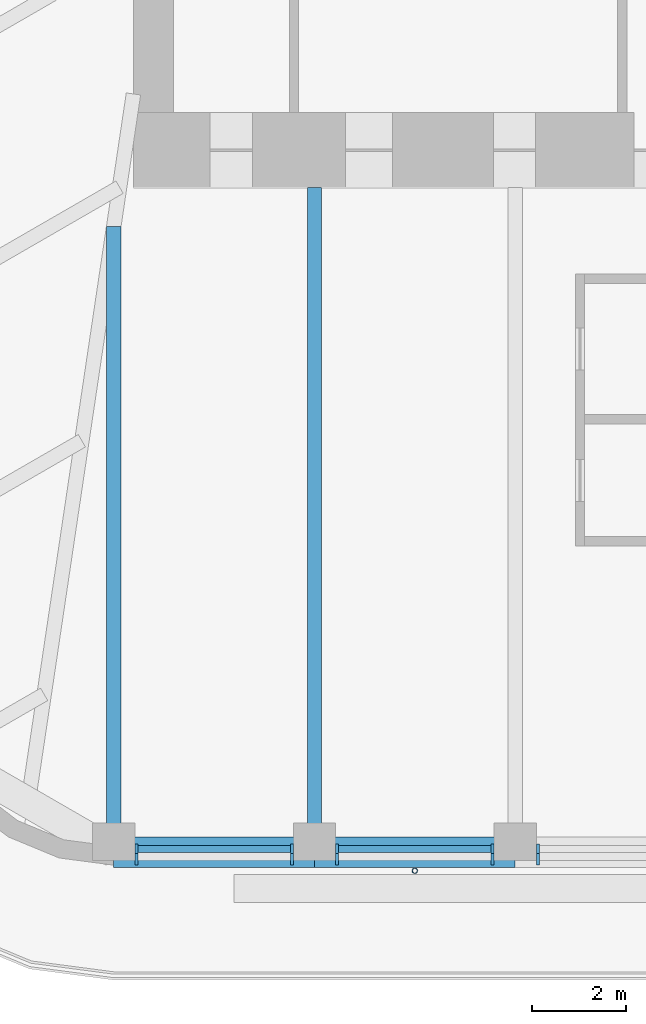
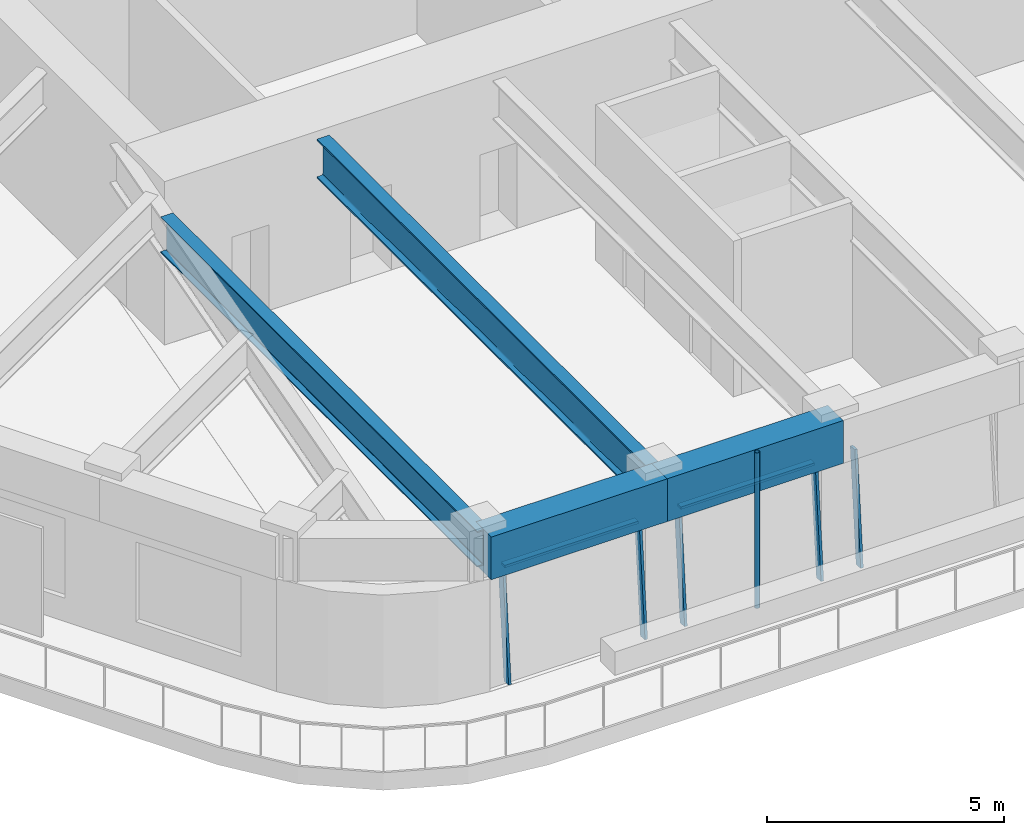
# One storey, part 2 of 19: 8 members, 4 beams, 3 elements without a shape of their own.
"""IFC4 building model written with IfcOpenShell, lengths in metres."""

import ifcopenshell
import ifcopenshell.guid

model = None  # the IFC model being written
_history = None  # IfcOwnerHistory: only IFC2X3 demands one
_inside = {}  # id of a spatial element -> (the spatial element, [elements in it])
_under = {}  # id of a project, library or spatial element -> (it, [spatial elements below it])
_declared = {}  # id of a project -> (the project, [libraries it declares])
_typed = {}  # id of a type object -> (the type object, [elements of that type])
_made_of = {}  # id of a material, layer set ... -> (it, [elements and type objects made of it])


def new_model(schema):
    """Start an empty IFC model of exactly this schema.

    Asked for "IFC4X3", IfcOpenShell would pick the latest addendum, in which some entities
    have other attributes; the version numbers below select the first issue.
    IFC2X3 requires an IfcOwnerHistory on every rooted entity: one is made here for all.
    """
    global model, _history
    if schema == "IFC4X3":
        model = ifcopenshell.file(schema_version=(4, 3, 0, 0))
    else:
        model = ifcopenshell.file(schema=schema)
    _inside.clear()
    _under.clear()
    _declared.clear()
    _typed.clear()
    _made_of.clear()
    _history = None
    if model.schema == "IFC2X3":
        org = make("IfcOrganization", Name="unknown")
        user = make(
            "IfcPersonAndOrganization",
            ThePerson=make("IfcPerson", FamilyName="unknown"),
            TheOrganization=org,
        )
        app = make(
            "IfcApplication",
            ApplicationDeveloper=org,
            Version="unknown",
            ApplicationFullName="unknown",
            ApplicationIdentifier="unknown",
        )
        _history = make(
            "IfcOwnerHistory",
            OwningUser=user,
            OwningApplication=app,
            ChangeAction="ADDED",
            CreationDate=0,
        )
    return model


def make(cls, **values):
    """One entity of the class cls with the attributes given. An attribute that is None is left unset."""
    return model.create_entity(
        cls, **{name: value for name, value in values.items() if value is not None}
    )


def rooted(cls, **values):
    """An entity with a GlobalId (a new one), such as an element, a storey or a relation."""
    return make(cls, GlobalId=ifcopenshell.guid.new(), OwnerHistory=_history, **values)


def si_unit(unit_type, name, prefix=None):
    """IfcSIUnit, for example si_unit("LENGTHUNIT", "METRE", prefix="MILLI")."""
    return make("IfcSIUnit", UnitType=unit_type, Prefix=prefix, Name=name)


def assignment(units):
    """IfcUnitAssignment: the units of a project."""
    return None if units is None else make("IfcUnitAssignment", Units=units)


def point(xyz):
    """IfcCartesianPoint."""
    return None if xyz is None else make("IfcCartesianPoint", Coordinates=xyz)


def direction(xyz):
    """IfcDirection."""
    return None if xyz is None else make("IfcDirection", DirectionRatios=xyz)


def frame(location, z_axis=None, x_axis=None):
    """IfcAxis2Placement3D, a coordinate frame: its origin and axes. An axis left out is left unset."""
    return make(
        "IfcAxis2Placement3D",
        Location=point(location),
        Axis=direction(z_axis),
        RefDirection=direction(x_axis),
    )


def frame_2d(location, x_axis=None):
    """IfcAxis2Placement2D, a coordinate frame in the plane: its origin and x axis."""
    return make(
        "IfcAxis2Placement2D", Location=point(location), RefDirection=direction(x_axis)
    )


def origin():
    """The frame at (0, 0, 0) with its axes left unset."""
    return frame((0.0, 0.0, 0.0))


def origin_2d():
    """The frame at (0, 0) in the plane with its x axis left unset."""
    return frame_2d((0.0, 0.0))


def place(relative_to, where):
    """IfcLocalPlacement: puts the frame where relative to a parent placement (None: the world)."""
    return make(
        "IfcLocalPlacement", PlacementRelTo=relative_to, RelativePlacement=where
    )


def context(
    kind, dimensions, precision=None, world=None, true_north=None, identifier=None
):
    """IfcGeometricRepresentationContext, for example the 3D "Model" context."""
    return make(
        "IfcGeometricRepresentationContext",
        ContextIdentifier=identifier,
        ContextType=kind,
        CoordinateSpaceDimension=dimensions,
        Precision=precision,
        WorldCoordinateSystem=world,
        TrueNorth=true_north,
    )


def subcontext(parent, identifier, kind, view, scale=None):
    """IfcGeometricRepresentationSubContext, for example "Body" below "Model"."""
    return make(
        "IfcGeometricRepresentationSubContext",
        ContextIdentifier=identifier,
        ContextType=kind,
        ParentContext=parent,
        TargetScale=scale,
        TargetView=view,
    )


def project(units=None, contexts=None):
    """IfcProject with its units and contexts."""
    return rooted(
        "IfcProject",
        Name="project",
        RepresentationContexts=contexts,
        UnitsInContext=assignment(units),
    )


def spatial(cls, under=None, at=None, **own):
    """A site, building, storey or space (cls), placed at a placement, below another one or the project."""
    s = rooted(cls, ObjectPlacement=at, **own)
    if under is not None:
        _under.setdefault(under.id(), (under, []))[1].append(s)
    return s


def profile(cls, at=None, kind="AREA", **sizes):
    """A parametric profile (cls). Its sizes go by their IFC names, for example OverallWidth=200.0."""
    return make(cls, ProfileType=kind, Position=at, **sizes)


def rectangle(**sizes):
    """IfcRectangleProfileDef."""
    return profile("IfcRectangleProfileDef", **sizes)


def hollow_circle(**sizes):
    """IfcCircleHollowProfileDef."""
    return profile("IfcCircleHollowProfileDef", **sizes)


def i_section(**sizes):
    """IfcIShapeProfileDef."""
    return profile("IfcIShapeProfileDef", **sizes)


def extrude(swept, where, along, depth):
    """IfcExtrudedAreaSolid: the profile swept, set in the frame where, extruded along a direction by depth."""
    return make(
        "IfcExtrudedAreaSolid",
        SweptArea=swept,
        Position=where,
        ExtrudedDirection=direction(along),
        Depth=depth,
    )


def shape(context_of_items, identifier, shape_type, items):
    """IfcShapeRepresentation: the items that make up one representation, for example the "Body"."""
    return make(
        "IfcShapeRepresentation",
        ContextOfItems=context_of_items,
        RepresentationIdentifier=identifier,
        RepresentationType=shape_type,
        Items=items,
    )


def material(Name=None, Category=None):
    """IfcMaterial."""
    return make("IfcMaterial", Name=Name, Category=Category)


def material_profile(
    of_material, cross_section, Name=None, Category=None, Priority=None
):
    """IfcMaterialProfile: a cross section and its material."""
    return make(
        "IfcMaterialProfile",
        Name=Name,
        Material=of_material,
        Profile=cross_section,
        Priority=Priority,
        Category=Category,
    )


def profile_set(profiles, Name=None, composite=None):
    """IfcMaterialProfileSet."""
    return make(
        "IfcMaterialProfileSet",
        Name=Name,
        MaterialProfiles=profiles,
        CompositeProfile=composite,
    )


def made_of(thing, what):
    """Note that an element or type object is made of a material, layer set ...; save() writes the relation."""
    if what is not None:
        _made_of.setdefault(what.id(), (what, []))[1].append(thing)
    return thing


def type_object(cls, material=None, **own):
    """A type object (cls), such as IfcWallType, which elements share."""
    return made_of(rooted(cls, **own), material)


def element(
    cls,
    number,
    at=None,
    inside=None,
    cuts=None,
    type_object=None,
    material=None,
    context=None,
    identifier="Body",
    shape_type=None,
    held_by="IfcProductDefinitionShape",
    body=None,
    shapes=None,
    **own,
):
    """One element of the class cls, such as IfcWall. Its Tag is "e" and its number.

    at: its placement. inside: the storey or other place that contains it. cuts: it is an
    opening in that element (IfcRelVoidsElement). A single representation is given by context,
    identifier, shape_type and body (its items); several are given by shapes. held_by: the class
    of the entity that holds the representations. save() writes the other relations.
    """
    e = rooted(cls, Tag="e%d" % number, ObjectPlacement=at, **own)
    if body is not None:
        shapes = [shape(context, identifier, shape_type, body)]
    if shapes is not None:
        e.Representation = make(held_by, Representations=shapes)
    if inside is not None:
        _inside.setdefault(inside.id(), (inside, []))[1].append(e)
    if cuts is not None:
        rooted(
            "IfcRelVoidsElement", RelatingBuildingElement=cuts, RelatedOpeningElement=e
        )
    if type_object is not None:
        _typed.setdefault(type_object.id(), (type_object, []))[1].append(e)
    return made_of(e, material)


def aggregate(whole, parts):
    """IfcRelAggregates: a whole, such as a stair, and the parts it consists of."""
    return rooted("IfcRelAggregates", RelatingObject=whole, RelatedObjects=parts)


def save(model, path):
    """Write the relations noted so far, then the file.

    IfcRelAggregates (storeys below a building ...), IfcRelContainedInSpatialStructure (elements
    in a storey), IfcRelDefinesByType, IfcRelAssociatesMaterial and IfcRelDeclares: one each for
    every whole, place, type object, material and project.
    """
    for whole, parts in _under.values():
        aggregate(whole, parts)
    for where, things in _inside.values():
        rooted(
            "IfcRelContainedInSpatialStructure",
            RelatedElements=things,
            RelatingStructure=where,
        )
    for kind, things in _typed.values():
        rooted("IfcRelDefinesByType", RelatedObjects=things, RelatingType=kind)
    for what, things in _made_of.values():
        rooted("IfcRelAssociatesMaterial", RelatedObjects=things, RelatingMaterial=what)
    for by, libraries in _declared.values():
        rooted("IfcRelDeclares", RelatingContext=by, RelatedDefinitions=libraries)
    model.write(path)


model = new_model("IFC4")

# Units and contexts
model_context = context("Model", 3, precision=1e-05, world=origin(), true_north=direction((0.0, 1.0)))
body_context = subcontext(model_context, "Body", "Model", "MODEL_VIEW")
ifc_project = project(units=[si_unit("LENGTHUNIT", "METRE"), si_unit("AREAUNIT", "SQUARE_METRE"), si_unit("VOLUMEUNIT", "CUBIC_METRE"), si_unit("PLANEANGLEUNIT", "RADIAN"), si_unit("MASSUNIT", "GRAM", prefix="KILO")], contexts=[model_context])

# Site, building, storey
site_placement = place(None, origin())
site = spatial("IfcSite", under=ifc_project, at=site_placement, CompositionType="ELEMENT")
building_placement = place(site_placement, origin())
building = spatial("IfcBuilding", under=site, at=building_placement, Name="Tarfa Lantern Tower", CompositionType="ELEMENT")
storey_placement = place(building_placement, frame((0.0, 0.0, 366.10009765625)))
storey = spatial("IfcBuildingStorey", under=building, at=storey_placement, Name="L83", CompositionType="ELEMENT", Elevation=366.10009765625)

# Curtain wall, members
ifc_material_1 = material(Name="Aluminium framed curtain wall", Category="aluminium")
curtain_wall_type = type_object("IfcCurtainWallType", Name="CW4 CANTED GLAZING EXECUTIVE ZONE 2900", PredefinedType="USERDEFINED", material=ifc_material_1)
curtain_wall_1_placement = place(storey_placement, origin())
curtain_wall_1 = element("IfcCurtainWall", 1, at=curtain_wall_1_placement, inside=storey, type_object=curtain_wall_type, Name="CW4 S L83", ObjectType="CURTAIN WALL", PredefinedType="USERDEFINED")
ifc_material_2 = material(Name="Aluminium mullion", Category="aluminium")
ifc_material_profile_1 = material_profile(ifc_material_2, rectangle(XDim=0.06494140625, YDim=0.199951171875, at=origin_2d()), Name="AL MULLION 65x200")
ifc_profile_set_1 = profile_set([ifc_material_profile_1], Name="Aluminium mullion")
member_type_1 = type_object("IfcMemberType", Name="CWM1 MULLION 65x200", PredefinedType="MULLION", material=ifc_profile_set_1)
member_1_placement = place(storey_placement, frame((-12.363525390625, -26.64990234375, 0.0), z_axis=(0.0, 0.085891213166, 0.99630452147), x_axis=(-1.0, 0.0, 0.0)))
member_1 = element("IfcMember", 2, at=member_1_placement, type_object=member_type_1, Name="CW4 mullion 1", PredefinedType="MULLION", context=body_context, shape_type="SweptSolid", body=[
    extrude(rectangle(XDim=0.06494140625, YDim=0.199951171875, at=origin_2d()), origin(), (0.0, 0.0, 1.0), 2.91064453125),
])
member_2_placement = place(storey_placement, frame((-9.046630859375, -26.64990234375, 0.0), z_axis=(0.0, 0.085891213166, 0.99630452147), x_axis=(-1.0, 0.0, 0.0)))
member_2 = element("IfcMember", 3, at=member_2_placement, type_object=member_type_1, Name="CW4 mullion 2", PredefinedType="MULLION", context=body_context, shape_type="SweptSolid", body=[
    extrude(rectangle(XDim=0.06494140625, YDim=0.199951171875, at=origin_2d()), origin(), (0.0, 0.0, 1.0), 2.91064453125),
])

curtain_wall_2_placement = place(storey_placement, origin())
curtain_wall_2 = element("IfcCurtainWall", 4, at=curtain_wall_2_placement, inside=storey, type_object=curtain_wall_type, Name="CW4 S L83", ObjectType="CURTAIN WALL", PredefinedType="USERDEFINED")
member_3_placement = place(storey_placement, frame((-8.08154296875, -26.64990234375, 0.0), z_axis=(0.0, 0.085891213166, 0.99630452147), x_axis=(-1.0, 0.0, 0.0)))
member_3 = element("IfcMember", 5, at=member_3_placement, type_object=member_type_1, Name="CW4 mullion 1", PredefinedType="MULLION", context=body_context, shape_type="SweptSolid", body=[
    extrude(rectangle(XDim=0.06494140625, YDim=0.199951171875, at=origin_2d()), origin(), (0.0, 0.0, 1.0), 2.91064453125),
])
member_4_placement = place(storey_placement, frame((-4.764404296875, -26.64990234375, 0.0), z_axis=(0.0, 0.085891213166, 0.99630452147), x_axis=(-1.0, 0.0, 0.0)))
member_4 = element("IfcMember", 6, at=member_4_placement, type_object=member_type_1, Name="CW4 mullion 2", PredefinedType="MULLION", context=body_context, shape_type="SweptSolid", body=[
    extrude(rectangle(XDim=0.06494140625, YDim=0.199951171875, at=origin_2d()), origin(), (0.0, 0.0, 1.0), 2.91064453125),
])

# Curtain wall, member
curtain_wall_3_placement = place(storey_placement, origin())
curtain_wall_3 = element("IfcCurtainWall", 7, at=curtain_wall_3_placement, inside=storey, type_object=curtain_wall_type, Name="CW4 S L83", ObjectType="CURTAIN WALL", PredefinedType="USERDEFINED")
member_5_placement = place(storey_placement, frame((-3.799560546875, -26.64990234375, 0.0), z_axis=(0.0, 0.085891213166, 0.99630452147), x_axis=(-1.0, 0.0, 0.0)))
member_5 = element("IfcMember", 8, at=member_5_placement, type_object=member_type_1, Name="CW4 mullion 1", PredefinedType="MULLION", context=body_context, shape_type="SweptSolid", body=[
    extrude(rectangle(XDim=0.06494140625, YDim=0.199951171875, at=origin_2d()), origin(), (0.0, 0.0, 1.0), 2.91064453125),
])
aggregate(curtain_wall_3, [member_5])

# Member
ifc_material_3 = material(Name="Aluminium transom", Category="aluminium")
ifc_material_profile_2 = material_profile(ifc_material_3, rectangle(XDim=0.14990234375, YDim=0.06494140625, at=origin_2d()), Name="AL TRANSOM 150x65")
ifc_profile_set_2 = profile_set([ifc_material_profile_2], Name="Aluminium transom")
member_type_2 = type_object("IfcMemberType", Name="CWT1 TRANSOM 150x65", PredefinedType="USERDEFINED", material=ifc_profile_set_2)
member_6_placement = place(storey_placement, frame((-12.3310546875, -26.40283203125, 2.867431640625), z_axis=(1.0, 0.0, 0.0), x_axis=(0.0, 1.0, 0.0)))
member_6 = element("IfcMember", 9, at=member_6_placement, type_object=member_type_2, Name="CW4 transom 1.2", ObjectType="TRANSOM", PredefinedType="USERDEFINED", context=body_context, shape_type="SweptSolid", body=[
    extrude(rectangle(XDim=0.14990234375, YDim=0.06494140625, at=origin_2d()), origin(), (0.0, 0.0, 1.0), 3.251953125),
])

aggregate(curtain_wall_1, [member_1, member_2, member_6])

member_7_placement = place(storey_placement, frame((-8.049072265625, -26.40283203125, 2.867431640625), z_axis=(1.0, 0.0, 0.0), x_axis=(0.0, 1.0, 0.0)))
member_7 = element("IfcMember", 10, at=member_7_placement, type_object=member_type_2, Name="CW4 transom 1.2", ObjectType="TRANSOM", PredefinedType="USERDEFINED", context=body_context, shape_type="SweptSolid", body=[
    extrude(rectangle(XDim=0.14990234375, YDim=0.06494140625, at=origin_2d()), origin(), (0.0, 0.0, 1.0), 3.251953125),
])

aggregate(curtain_wall_2, [member_3, member_4, member_7])

# Beams
ifc_material_4 = material(Name="Concrete C80/95", Category="concrete")
ifc_material_profile_3 = material_profile(ifc_material_4, rectangle(XDim=0.64990234375, YDim=1.10009765625, at=origin_2d()), Name="RC 650x1100")
ifc_profile_set_3 = profile_set([ifc_material_profile_3], Name="Concrete C80/95")
beam_type_1 = type_object("IfcBeamType", Name="EB4 RC 650x1100", PredefinedType="SPANDREL", material=ifc_profile_set_3)
for number, where, z_axis, x_axis, name in (
    (11, (-12.845947265625, -26.469970703125, 3.449951171875), (1.0, 0.0, 0.0), (0.0, 1.0, 0.0), "Edge beam S0"),
    (12, (-8.56396484375, -26.469970703125, 3.449951171875), (1.0, 0.0, 0.0), (0.0, 1.0, 0.0), "Edge beam S1"),
):
    element("IfcBeam", number, at=place(storey_placement, frame(where, z_axis=z_axis, x_axis=x_axis)), inside=storey, type_object=beam_type_1, Name=name, PredefinedType="SPANDREL", context=body_context, shape_type="SweptSolid", body=[
        extrude(rectangle(XDim=0.64990234375, YDim=1.10009765625, at=origin_2d()), origin(), (0.0, 0.0, 1.0), 4.281982421875),
    ])

# Member
ifc_material_5 = material(Name="Steel S355", Category="steel")
ifc_material_profile_4 = material_profile(ifc_material_5, hollow_circle(Radius=0.05712890625, WallThickness=0.00634765625, at=origin_2d()), Name="CHS114.3x6.3")
ifc_profile_set_4 = profile_set([ifc_material_profile_4], Name="Steel S355")
member_type_3 = type_object("IfcMemberType", Name="TR1 GREEN WALL TRELLIS CHS114.3x6.3", PredefinedType="USERDEFINED", material=ifc_profile_set_4)
member_8_placement = place(storey_placement, frame((-6.423095703125, -26.8701171875, 0.0), z_axis=(0.0, 0.0, 1.0), x_axis=(1.0, 0.0, 0.0)))
element("IfcMember", 13, at=member_8_placement, inside=storey, type_object=member_type_3, Name="Trellis post S 1", ObjectType="TRELLIS", PredefinedType="USERDEFINED", context=body_context, shape_type="SweptSolid", body=[
    extrude(hollow_circle(Radius=0.05712890625, WallThickness=0.00634765625, at=origin_2d()), origin(), (0.0, 0.0, 1.0), 4.0),
])

# Beams
ifc_material_6 = material(Name="Steel S460M", Category="steel")
ifc_material_profile_5 = material_profile(ifc_material_6, i_section(OverallWidth=0.302001953125, OverallDepth=1.008056640625, WebThickness=0.02099609375, FlangeThickness=0.0400390625, FilletRadius=0.030029296875, at=origin_2d()), Name="UB1016x305x349")
ifc_profile_set_5 = profile_set([ifc_material_profile_5], Name="Steel S460M")
beam_type_2 = type_object("IfcBeamType", Name="UB1016x305x349", PredefinedType="BEAM", material=ifc_profile_set_5)
beam_1_placement = place(storey_placement, frame((-8.56396484375, -26.469970703125, 3.495849609375), z_axis=(0.0, 1.0, 0.0), x_axis=(-1.0, 0.0, 0.0)))
element("IfcBeam", 14, at=beam_1_placement, inside=storey, type_object=beam_type_2, Name="Floor beam S1", PredefinedType="BEAM", context=body_context, shape_type="SweptSolid", body=[
    extrude(i_section(OverallWidth=0.302001953125, OverallDepth=1.008056640625, WebThickness=0.02099609375, FlangeThickness=0.0400390625, FilletRadius=0.030029296875, at=origin_2d()), origin(), (0.0, 0.0, 1.0), 14.169921875),
])
ifc_material_profile_6 = material_profile(ifc_material_6, i_section(OverallWidth=0.305419921875, OverallDepth=0.91845703125, WebThickness=0.017333984375, FlangeThickness=0.02783203125, FilletRadius=0.01904296875, at=origin_2d()), Name="UB914x305x253")
ifc_profile_set_6 = profile_set([ifc_material_profile_6], Name="Steel S460M")
beam_type_3 = type_object("IfcBeamType", Name="UB914x305x253", PredefinedType="BEAM", material=ifc_profile_set_6)
beam_2_placement = place(storey_placement, frame((-12.845947265625, -26.469970703125, 3.540771484375), z_axis=(0.0, 1.0, 0.0), x_axis=(-1.0, 0.0, 0.0)))
element("IfcBeam", 15, at=beam_2_placement, inside=storey, type_object=beam_type_3, Name="Floor beam S0", PredefinedType="BEAM", context=body_context, shape_type="SweptSolid", body=[
    extrude(i_section(OverallWidth=0.305419921875, OverallDepth=0.91845703125, WebThickness=0.017333984375, FlangeThickness=0.02783203125, FilletRadius=0.01904296875, at=origin_2d()), origin(), (0.0, 0.0, 1.0), 13.33935546875),
])

save(model, "model.ifc")
